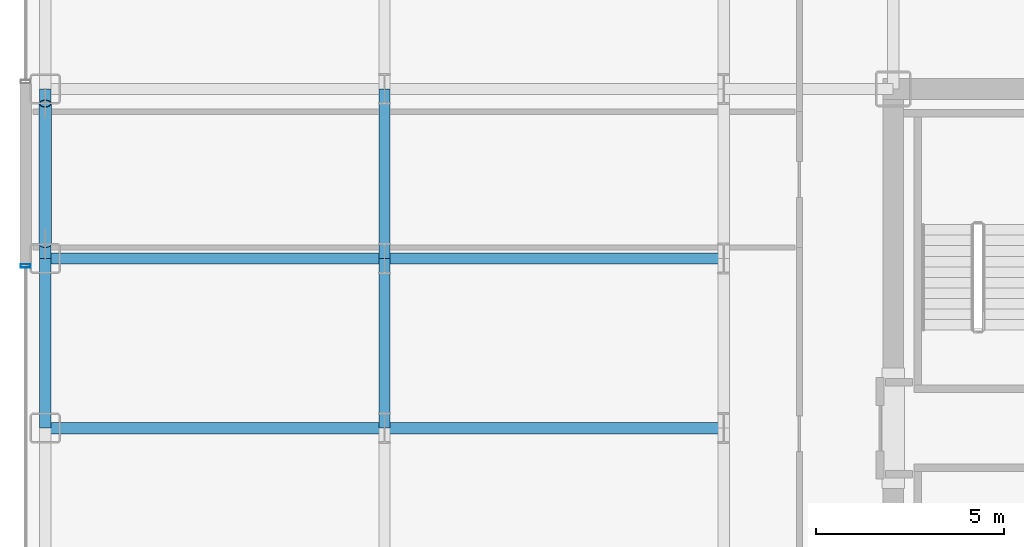
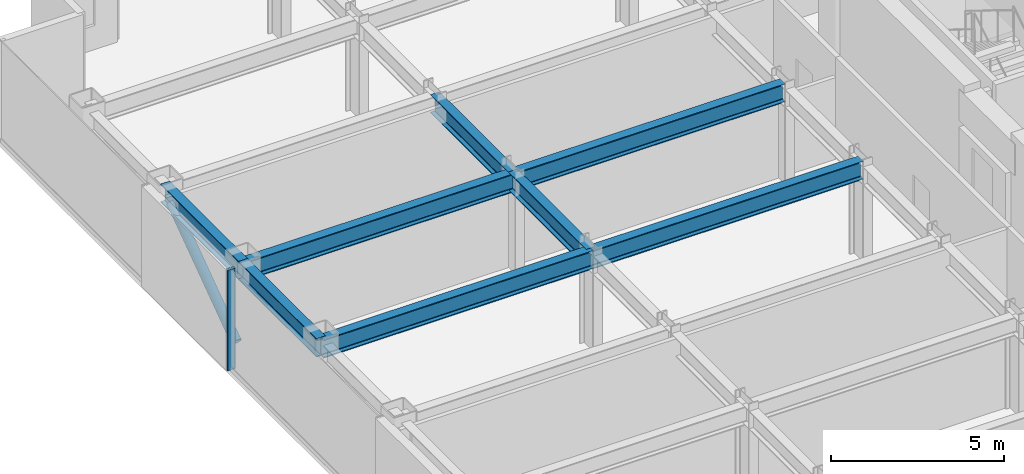
# One storey, part 7 of 26: 8 beams, 2 members, 1 element without a shape of its own.
"""IFC4 building model written with IfcOpenShell, lengths in metres."""

from ifc_helpers import new_model, si_unit, direction, frame, origin, origin_2d, place, context, subcontext, project, spatial, hollow_rectangle, hollow_circle, i_section, extrude, source, transform, mapped, material, layer, layer_set, material_profile, profile_set, type_object, element, aggregate, save


model = new_model("IFC4")

# Units and contexts
model_context = context("Model", 3, precision=1e-05, world=origin(), true_north=direction((0.0, 1.0)))
body_context = subcontext(model_context, "Body", "Model", "MODEL_VIEW")
ifc_project = project(units=[si_unit("LENGTHUNIT", "METRE"), si_unit("AREAUNIT", "SQUARE_METRE"), si_unit("VOLUMEUNIT", "CUBIC_METRE"), si_unit("PLANEANGLEUNIT", "RADIAN"), si_unit("MASSUNIT", "GRAM", prefix="KILO")], contexts=[model_context])

# Site, building, storey
site_placement = place(None, origin())
site = spatial("IfcSite", under=ifc_project, at=site_placement, CompositionType="ELEMENT")
building_placement = place(site_placement, origin())
building = spatial("IfcBuilding", under=site, at=building_placement, Name="Nefas-Gora Pilgrimage Tower", CompositionType="ELEMENT")
storey_placement = place(building_placement, frame((0.0, 0.0, 160.199951171875)))
storey = spatial("IfcBuildingStorey", under=building, at=storey_placement, Name="L39", CompositionType="ELEMENT", Elevation=160.199951171875)

# Beams
ifc_material_1 = material(Name="Steel S355", Category="steel")
ifc_material_profile_1 = material_profile(ifc_material_1, i_section(OverallWidth=0.300048828125, OverallDepth=0.64990234375, WebThickness=0.01611328125, FlangeThickness=0.031005859375, FilletRadius=0.027099609375, at=origin_2d()), Name="HEB 650")
ifc_profile_set_1 = profile_set([ifc_material_profile_1], Name="Steel S355")
beam_type_1 = type_object("IfcBeamType", Name="BM-SPN-HEB500", PredefinedType="SPANDREL", material=ifc_profile_set_1)
shared_shape_1 = source(origin(), body_context, "Body", "SweptSolid", [
    extrude(i_section(OverallWidth=0.300048828125, OverallDepth=0.64990234375, WebThickness=0.01611328125, FlangeThickness=0.031005859375, FilletRadius=0.027099609375, at=origin_2d()), origin(), (0.0, 0.0, 1.0), 4.5),
])
for number, where, z_axis, x_axis, name in (
    (1, (-33.75, 0.0, 3.22509765625), (0.0, 1.0, 0.0), (-1.0, 0.0, 0.0), "L39 SP-02 beam"),
    (2, (-33.75, 4.5, 3.22509765625), (0.0, 1.0, 0.0), (-1.0, 0.0, 0.0), "L39 SP-02 beam"),
):
    element("IfcBeam", number, at=place(storey_placement, frame(where, z_axis=z_axis, x_axis=x_axis)), inside=storey, type_object=beam_type_1, Name=name, PredefinedType="SPANDREL", context=body_context, shape_type="MappedRepresentation", body=[
        mapped(shared_shape_1, transform((0.0, 0.0, 0.0), x_axis=(1.0, 0.0, 0.0), y_axis=(0.0, 1.0, 0.0), z_axis=(0.0, 0.0, 1.0), scale=1.0)),
    ])
ifc_material_profile_2 = material_profile(ifc_material_1, i_section(OverallWidth=0.300048828125, OverallDepth=0.64990234375, WebThickness=0.01611328125, FlangeThickness=0.031005859375, FilletRadius=0.027099609375, at=origin_2d()), Name="HEB 650")
ifc_profile_set_2 = profile_set([ifc_material_profile_2], Name="Steel S355")
beam_type_2 = type_object("IfcBeamType", Name="BM-GIR-HEB650", PredefinedType="BEAM", material=ifc_profile_set_2)
shared_shape_2 = source(origin(), body_context, "Body", "SweptSolid", [
    extrude(i_section(OverallWidth=0.300048828125, OverallDepth=0.64990234375, WebThickness=0.01611328125, FlangeThickness=0.031005859375, FilletRadius=0.027099609375, at=origin_2d()), origin(), (0.0, 0.0, 1.0), 9.0),
])
for number, where, z_axis, x_axis, name in (
    (3, (-33.75, 0.0, 3.22509765625), (1.0, 0.0, 0.0), (0.0, 1.0, 0.0), "L39 G-03 beam"),
    (4, (-33.75, 4.5, 3.22509765625), (1.0, 0.0, 0.0), (0.0, 1.0, 0.0), "L39 G-03 beam"),
    (5, (-24.75, 0.0, 3.22509765625), (1.0, 0.0, 0.0), (0.0, 1.0, 0.0), "L39 G-03 beam"),
    (6, (-24.75, 4.5, 3.22509765625), (1.0, 0.0, 0.0), (0.0, 1.0, 0.0), "L39 G-03 beam"),
):
    element("IfcBeam", number, at=place(storey_placement, frame(where, z_axis=z_axis, x_axis=x_axis)), inside=storey, type_object=beam_type_2, Name=name, PredefinedType="BEAM", context=body_context, shape_type="MappedRepresentation", body=[
        mapped(shared_shape_2, transform((0.0, 0.0, 0.0), x_axis=(1.0, 0.0, 0.0), y_axis=(0.0, 1.0, 0.0), z_axis=(0.0, 0.0, 1.0), scale=1.0)),
    ])
shared_shape_3 = source(origin(), body_context, "Body", "SweptSolid", [
    extrude(i_section(OverallWidth=0.300048828125, OverallDepth=0.64990234375, WebThickness=0.01611328125, FlangeThickness=0.031005859375, FilletRadius=0.027099609375, at=origin_2d()), origin(), (0.0, 0.0, 1.0), 4.5),
])
for number, where, z_axis, x_axis, name in (
    (7, (-24.75, 0.0, 3.22509765625), (0.0, 1.0, 0.0), (-1.0, 0.0, 0.0), "L39 G-03 beam"),
    (8, (-24.75, 4.5, 3.22509765625), (0.0, 1.0, 0.0), (-1.0, 0.0, 0.0), "L39 G-03 beam"),
):
    element("IfcBeam", number, at=place(storey_placement, frame(where, z_axis=z_axis, x_axis=x_axis)), inside=storey, type_object=beam_type_2, Name=name, PredefinedType="BEAM", context=body_context, shape_type="MappedRepresentation", body=[
        mapped(shared_shape_3, transform((0.0, 0.0, 0.0), x_axis=(1.0, 0.0, 0.0), y_axis=(0.0, 1.0, 0.0), z_axis=(0.0, 0.0, 1.0), scale=1.0)),
    ])

# Member
ifc_material_profile_3 = material_profile(ifc_material_1, hollow_circle(Radius=0.161865234375, WallThickness=0.02001953125, at=origin_2d()), Name="CHS 323.9x20")
ifc_profile_set_3 = profile_set([ifc_material_profile_3], Name="Steel S355")
member_type_1 = type_object("IfcMemberType", Name="MEM-TUBE-324", PredefinedType="BRACE", material=ifc_profile_set_3)
shared_shape_4 = source(origin(), body_context, "Body", "SweptSolid", [
    extrude(hollow_circle(Radius=0.161865234375, WallThickness=0.02001953125, at=origin_2d()), origin(), (0.0, 0.0, 1.0), 4.579345703125),
])
member_1_placement = place(storey_placement, frame((-33.75, 4.887939453125, 0.427734375), z_axis=(0.0, 0.813246879171, 0.581918820385), x_axis=(-1.0, 0.0, 0.0)))
element("IfcMember", 9, at=member_1_placement, inside=storey, type_object=member_type_1, Name="L39 Perimeter Tube Diagonal Brace W2", PredefinedType="BRACE", context=body_context, shape_type="MappedRepresentation", body=[
    mapped(shared_shape_4, transform((0.0, 0.0, 0.0), x_axis=(1.0, 0.0, 0.0), y_axis=(0.0, 1.0, 0.0), z_axis=(0.0, 0.0, 1.0), scale=1.0)),
])

# Curtain wall, member
ifc_material_2 = material(Name="Dark ceramic-fritted solar-control aluminium-glass curtain wall", Category="aluminium")
ifc_layer = layer(ifc_material_2, 0.219970703125)
ifc_layer_set = layer_set([ifc_layer], Name="Dark ceramic-fritted solar-control aluminium-glass curtain wall")
curtain_wall_type = type_object("IfcCurtainWallType", Name="CW-SYS-3", PredefinedType="NOTDEFINED", material=ifc_layer_set)
curtain_wall_placement = place(storey_placement, origin())
curtain_wall = element("IfcCurtainWall", 10, at=curtain_wall_placement, inside=storey, type_object=curtain_wall_type, Name="L39 Unitised Curtain Wall CW3", PredefinedType="NOTDEFINED")
ifc_material_3 = material(Name="Anodised architectural aluminium", Category="aluminium")
ifc_material_profile_4 = material_profile(ifc_material_3, hollow_rectangle(XDim=0.090087890625, YDim=0.260009765625, WallThickness=0.006103515625, InnerFilletRadius=0.006103515625, OuterFilletRadius=0.011962890625, at=origin_2d()), Name="ALU MULLION 90x260")
ifc_profile_set_4 = profile_set([ifc_material_profile_4], Name="Anodised architectural aluminium")
member_type_2 = type_object("IfcMemberType", Name="CWM-MUL-3", PredefinedType="MULLION", material=ifc_profile_set_4)
shared_shape_5 = source(origin(), body_context, "Body", "SweptSolid", [
    extrude(hollow_rectangle(XDim=0.090087890625, YDim=0.260009765625, WallThickness=0.006103515625, InnerFilletRadius=0.006103515625, OuterFilletRadius=0.011962890625, at=origin_2d()), origin(), (0.0, 0.0, 1.0), 3.550048828125),
])
member_2_placement = place(storey_placement, frame((-34.27001953125, 4.304931640625, 0.0), z_axis=(0.0, 0.0, 1.0), x_axis=(0.0, -1.0, 0.0)))
member_2 = element("IfcMember", 11, at=member_2_placement, type_object=member_type_2, Name="CW3 Mullion 1", PredefinedType="MULLION", context=body_context, shape_type="MappedRepresentation", body=[
    mapped(shared_shape_5, transform((0.0, 0.0, 0.0), x_axis=(1.0, 0.0, 0.0), y_axis=(0.0, 1.0, 0.0), z_axis=(0.0, 0.0, 1.0), scale=1.0)),
])
aggregate(curtain_wall, [member_2])

save(model, "model.ifc")
